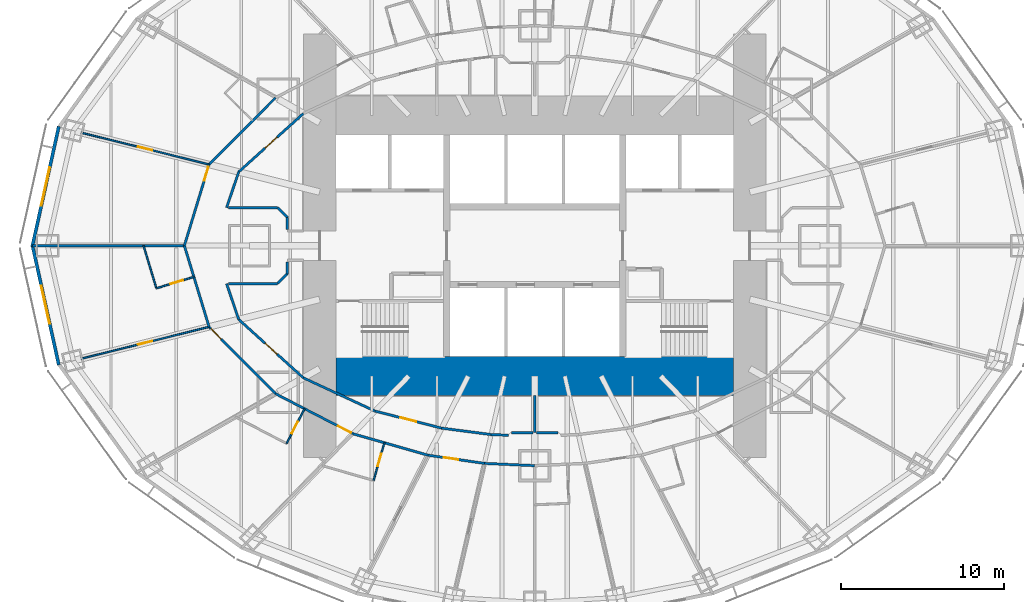
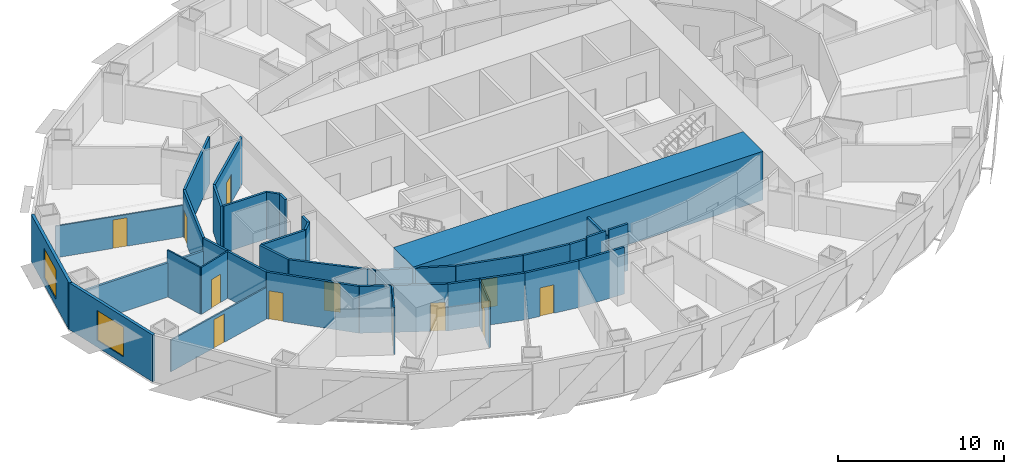
# One storey, part 5 of 15: 35 walls, 12 doors, 2 windows, 14 openings.
"""IFC4 building model written with IfcOpenShell, lengths in metres."""

from ifc_helpers import new_model, si_unit, direction, frame, frame_2d, origin, place, context, subcontext, project, spatial, rectangle, extrude, material, layer, layer_set, type_object, element, fill, save


model = new_model("IFC4")

# Units and contexts
model_context = context("Model", 3, precision=1e-05, world=origin(), true_north=direction((0.0, 1.0)))
body_context = subcontext(model_context, "Body", "Model", "MODEL_VIEW")
ifc_project = project(units=[si_unit("LENGTHUNIT", "METRE"), si_unit("AREAUNIT", "SQUARE_METRE"), si_unit("VOLUMEUNIT", "CUBIC_METRE"), si_unit("PLANEANGLEUNIT", "RADIAN"), si_unit("MASSUNIT", "GRAM", prefix="KILO")], contexts=[model_context])

# Site, building, storey
site_placement = place(None, origin())
site = spatial("IfcSite", under=ifc_project, at=site_placement, CompositionType="ELEMENT")
building_placement = place(site_placement, origin())
building = spatial("IfcBuilding", under=site, at=building_placement, Name="Lantaw Convention Tower", CompositionType="ELEMENT")
storey_placement = place(building_placement, frame((0.0, 0.0, 55.0)))
storey = spatial("IfcBuildingStorey", under=building, at=storey_placement, Name="L11", CompositionType="ELEMENT", Elevation=55.0)

# Wall
ifc_material_1 = material(Name="Gypsum board on steel studs", Category="steel")
ifc_layer_1 = layer(ifc_material_1, 0.14990234375)
ifc_layer_set_1 = layer_set([ifc_layer_1], Name="Back of house wall 150")
wall_type_1 = type_object("IfcWallType", Name="Back of house wall 150", PredefinedType="PARTITIONING", material=ifc_layer_set_1)
wall_1_placement = place(storey_placement, frame((0.0, -9.199951171875, 0.0), z_axis=(0.0, 0.0, 1.0), x_axis=(0.0, -1.0, 0.0)))
element("IfcWall", 1, at=wall_1_placement, inside=storey, type_object=wall_type_1, Name="Back of house wall 150", PredefinedType="PARTITIONING", context=body_context, shape_type="SweptSolid", body=[
    extrude(rectangle(XDim=2.26513671875, YDim=0.14990234375, at=frame_2d((1.132568359375, 0.0))), origin(), (0.0, 0.0, 1.0), 3.043701171875),
])

# Wall, opening, door
ifc_material_2 = material(Name="Moisture resistant gypsum board on steel studs", Category="steel")
ifc_layer_2 = layer(ifc_material_2, 0.10009765625)
ifc_layer_set_2 = layer_set([ifc_layer_2], Name="Bathroom wall 100")
wall_type_2 = type_object("IfcWallType", Name="Bathroom wall 100", PredefinedType="PARTITIONING", material=ifc_layer_set_2)
wall_2_placement = place(storey_placement, frame((-20.917236328125, -1.9130859375, 0.0), z_axis=(0.0, 0.0, 1.0), x_axis=(-0.956591303063, -0.291432803411, 0.0)))
wall_2 = element("IfcWall", 2, at=wall_2_placement, inside=storey, type_object=wall_type_2, Name="Bathroom wall 100", PredefinedType="PARTITIONING", context=body_context, shape_type="SweptSolid", body=[
    extrude(rectangle(XDim=2.400146484375, YDim=0.10009765625, at=frame_2d((1.2001953125, 0.0))), origin(), (0.0, 0.0, 1.0), 3.449951171875),
])
opening_1_placement = place(wall_2_placement, frame((0.699951171875, 0.0, 0.0)))
opening_1 = element("IfcOpeningElement", 3, at=opening_1_placement, cuts=wall_2, Name="Opening L11.46", PredefinedType="OPENING", context=body_context, shape_type="SweptSolid", body=[
    extrude(rectangle(XDim=0.800048828125, YDim=2.10009765625, at=frame_2d((0.39990234375, 1.050048828125))), frame((0.0, 0.06005859375, 0.0), z_axis=(0.0, -1.0, 0.0), x_axis=(1.0, 0.0, 0.0)), (0.0, 0.0, 1.0), 0.1201171875),
])
ifc_material_3 = material(Name="Timber", Category="wood")
door_type_1 = type_object("IfcDoorType", Name="Bathroom door 800", OperationType="SINGLE_SWING_LEFT", PredefinedType="DOOR", material=ifc_material_3)
door_1_placement = place(opening_1_placement, origin())
door_1 = element("IfcDoor", 4, at=door_1_placement, inside=storey, type_object=door_type_1, Name="Bathroom door", OperationType="SINGLE_SWING_LEFT", OverallHeight=2.10009765625, OverallWidth=0.800048828125, PredefinedType="DOOR", context=body_context, shape_type="SweptSolid", body=[
    extrude(rectangle(XDim=0.800048828125, YDim=2.10009765625, at=frame_2d((0.39990234375, 1.050048828125))), frame((0.0, 0.02490234375, 0.0), z_axis=(0.0, -1.0, 0.0), x_axis=(1.0, 0.0, 0.0)), (0.0, 0.0, 1.0), 0.050048828125),
])
fill(opening_1, door_1)

# Wall
wall_3_placement = place(storey_placement, frame((-23.213134765625, -2.612548828125, 0.0), z_axis=(0.0, 0.0, 1.0), x_axis=(-0.291339473488, 0.956619731757, 0.0)))
element("IfcWall", 5, at=wall_3_placement, inside=storey, type_object=wall_type_2, Name="Bathroom wall 100", PredefinedType="PARTITIONING", context=body_context, shape_type="SweptSolid", body=[
    extrude(rectangle(XDim=2.73095703125, YDim=0.10009765625, at=frame_2d((1.365478515625, 0.0))), origin(), (0.0, 0.0, 1.0), 3.449951171875),
])

# Wall, opening, door
wall_4_placement = place(storey_placement, frame((-14.12451171875, -10.0048828125, 0.0), z_axis=(0.0, 0.0, 1.0), x_axis=(-0.459218106657, -0.888323550582, 0.0)))
wall_4 = element("IfcWall", 6, at=wall_4_placement, inside=storey, type_object=wall_type_2, Name="Bathroom wall 100", PredefinedType="PARTITIONING", context=body_context, shape_type="SweptSolid", body=[
    extrude(rectangle(XDim=2.39990234375, YDim=0.10009765625, at=frame_2d((1.199951171875, 0.0))), origin(), (0.0, 0.0, 1.0), 3.449951171875),
])
opening_2_placement = place(wall_4_placement, frame((0.89990234375, 0.0, 0.0)))
opening_2 = element("IfcOpeningElement", 7, at=opening_2_placement, cuts=wall_4, Name="Opening L11.49", PredefinedType="OPENING", context=body_context, shape_type="SweptSolid", body=[
    extrude(rectangle(XDim=0.800048828125, YDim=2.10009765625, at=frame_2d((0.39990234375, 1.050048828125))), frame((0.0, 0.06005859375, 0.0), z_axis=(0.0, -1.0, 0.0), x_axis=(1.0, 0.0, 0.0)), (0.0, 0.0, 1.0), 0.1201171875),
])
door_2_placement = place(opening_2_placement, origin())
door_2 = element("IfcDoor", 8, at=door_2_placement, inside=storey, type_object=door_type_1, Name="Bathroom door", OperationType="SINGLE_SWING_LEFT", OverallHeight=2.10009765625, OverallWidth=0.800048828125, PredefinedType="DOOR", context=body_context, shape_type="SweptSolid", body=[
    extrude(rectangle(XDim=0.800048828125, YDim=2.10009765625, at=frame_2d((0.39990234375, 1.050048828125))), frame((0.0, 0.02490234375, 0.0), z_axis=(0.0, -1.0, 0.0), x_axis=(1.0, 0.0, 0.0)), (0.0, 0.0, 1.0), 0.050048828125),
])
fill(opening_2, door_2)

wall_5_placement = place(storey_placement, frame((-9.224609375, -12.093505859375, 0.0), z_axis=(0.0, 0.0, 1.0), x_axis=(-0.274949510627, -0.961458666093, 0.0)))
wall_5 = element("IfcWall", 9, at=wall_5_placement, inside=storey, type_object=wall_type_2, Name="Bathroom wall 100", PredefinedType="PARTITIONING", context=body_context, shape_type="SweptSolid", body=[
    extrude(rectangle(XDim=2.400146484375, YDim=0.10009765625, at=frame_2d((1.2001953125, 0.0))), origin(), (0.0, 0.0, 1.0), 3.449951171875),
])
opening_3_placement = place(wall_5_placement, frame((0.699951171875, 0.0, 0.0)))
opening_3 = element("IfcOpeningElement", 10, at=opening_3_placement, cuts=wall_5, Name="Opening L11.51", PredefinedType="OPENING", context=body_context, shape_type="SweptSolid", body=[
    extrude(rectangle(XDim=0.800048828125, YDim=2.10009765625, at=frame_2d((0.39990234375, 1.050048828125))), frame((0.0, 0.06005859375, 0.0), z_axis=(0.0, -1.0, 0.0), x_axis=(1.0, 0.0, 0.0)), (0.0, 0.0, 1.0), 0.1201171875),
])
door_3_placement = place(opening_3_placement, origin())
door_3 = element("IfcDoor", 11, at=door_3_placement, inside=storey, type_object=door_type_1, Name="Bathroom door", OperationType="SINGLE_SWING_LEFT", OverallHeight=2.10009765625, OverallWidth=0.800048828125, PredefinedType="DOOR", context=body_context, shape_type="SweptSolid", body=[
    extrude(rectangle(XDim=0.800048828125, YDim=2.10009765625, at=frame_2d((0.39990234375, 1.050048828125))), frame((0.0, 0.02490234375, 0.0), z_axis=(0.0, -1.0, 0.0), x_axis=(1.0, 0.0, 0.0)), (0.0, 0.0, 1.0), 0.050048828125),
])
fill(opening_3, door_3)

# Walls
ifc_material_4 = material(Name="Concrete C60/75", Category="concrete")
ifc_layer_3 = layer(ifc_material_4, 2.39990234375)
ifc_layer_set_3 = layer_set([ifc_layer_3], Name="Core wall 2400")
wall_type_3 = type_object("IfcWallType", Name="Core wall 2400", PredefinedType="SHEAR", material=ifc_layer_set_3)
wall_6_placement = place(storey_placement, frame((-12.199951171875, -8.0, 0.0), z_axis=(0.0, 0.0, 1.0), x_axis=(1.0, 0.0, 0.0)))
element("IfcWall", 12, at=wall_6_placement, inside=storey, type_object=wall_type_3, Name="Core wall S", PredefinedType="SHEAR", context=body_context, shape_type="SweptSolid", body=[
    extrude(rectangle(XDim=24.39990234375, YDim=2.39990234375, at=frame_2d((12.199951171875, 0.0))), origin(), (0.0, 0.0, 1.0), 3.60009765625),
])
ifc_material_5 = material(Name="Gypsum board on steel studs, fire rated", Category="steel")
ifc_layer_4 = layer(ifc_material_5, 0.14990234375)
ifc_layer_set_4 = layer_set([ifc_layer_4], Name="Corridor wall 150 EI 60")
wall_type_4 = type_object("IfcWallType", Name="Corridor wall 150 EI 60", PredefinedType="PARTITIONING", material=ifc_layer_set_4)
wall_7_placement = place(storey_placement, frame((-15.901123046875, 9.08642578125, 0.0), z_axis=(0.0, 0.0, 1.0), x_axis=(-0.705121546414, -0.709086457904, 0.0)))
element("IfcWall", 13, at=wall_7_placement, inside=storey, type_object=wall_type_4, Name="Corridor wall 150", PredefinedType="PARTITIONING", context=body_context, shape_type="SweptSolid", body=[
    extrude(rectangle(XDim=5.7880859375, YDim=0.14990234375, at=frame_2d((2.89404296875, 0.0))), origin(), (0.0, 0.0, 1.0), 3.449951171875),
])

# Wall, opening, door
wall_8_placement = place(storey_placement, frame((-19.982421875, 4.982177734375, 0.0), z_axis=(0.0, 0.0, 1.0), x_axis=(-0.291383581394, -0.95660629754, 0.0)))
wall_8 = element("IfcWall", 14, at=wall_8_placement, inside=storey, type_object=wall_type_4, Name="Corridor wall 150", PredefinedType="PARTITIONING", context=body_context, shape_type="SweptSolid", body=[
    extrude(rectangle(XDim=5.208251953125, YDim=0.14990234375, at=frame_2d((2.60400390625, 0.0))), origin(), (0.0, 0.0, 1.0), 3.449951171875),
])
opening_4_placement = place(wall_8_placement, frame((0.14990234375, 0.0, 0.0)))
opening_4 = element("IfcOpeningElement", 15, at=opening_4_placement, cuts=wall_8, Name="Opening L11.45", PredefinedType="OPENING", context=body_context, shape_type="SweptSolid", body=[
    extrude(rectangle(XDim=0.89990234375, YDim=2.10009765625, at=frame_2d((0.449951171875, 1.050048828125))), frame((0.0, 0.0849609375, 0.0), z_axis=(0.0, -1.0, 0.0), x_axis=(1.0, 0.0, 0.0)), (0.0, 0.0, 1.0), 0.169921875),
])
ifc_material_6 = material(Name="Steel, fire rated", Category="steel")
door_type_2 = type_object("IfcDoorType", Name="Guest room entrance door FD30S", OperationType="SINGLE_SWING_LEFT", PredefinedType="DOOR", material=ifc_material_6)
door_4_placement = place(opening_4_placement, origin())
door_4 = element("IfcDoor", 16, at=door_4_placement, inside=storey, type_object=door_type_2, Name="Suite entrance door", OperationType="SINGLE_SWING_LEFT", OverallHeight=2.10009765625, OverallWidth=0.89990234375, PredefinedType="DOOR", context=body_context, shape_type="SweptSolid", body=[
    extrude(rectangle(XDim=0.89990234375, YDim=2.10009765625, at=frame_2d((0.449951171875, 1.050048828125))), frame((0.0, 0.02490234375, 0.0), z_axis=(0.0, -1.0, 0.0), x_axis=(1.0, 0.0, 0.0)), (0.0, 0.0, 1.0), 0.050048828125),
])
fill(opening_4, door_4)

# Wall
wall_9_placement = place(storey_placement, frame((-21.5, 0.0, 0.0), z_axis=(0.0, 0.0, 1.0), x_axis=(0.291383581394, -0.95660629754, 0.0)))
element("IfcWall", 17, at=wall_9_placement, inside=storey, type_object=wall_type_4, Name="Corridor wall 150", PredefinedType="PARTITIONING", context=body_context, shape_type="SweptSolid", body=[
    extrude(rectangle(XDim=5.208251953125, YDim=0.14990234375, at=frame_2d((2.60400390625, 0.0))), origin(), (0.0, 0.0, 1.0), 3.449951171875),
])

# Wall, opening, door
wall_10_placement = place(storey_placement, frame((-19.982421875, -4.982177734375, 0.0), z_axis=(0.0, 0.0, 1.0), x_axis=(0.705121546414, -0.709086457904, 0.0)))
wall_10 = element("IfcWall", 18, at=wall_10_placement, inside=storey, type_object=wall_type_4, Name="Corridor wall 150", PredefinedType="PARTITIONING", context=body_context, shape_type="SweptSolid", body=[
    extrude(rectangle(XDim=5.7880859375, YDim=0.14990234375, at=frame_2d((2.89404296875, 0.0))), origin(), (0.0, 0.0, 1.0), 3.449951171875),
])
opening_5_placement = place(wall_10_placement, frame((0.14990234375, 0.0, 0.0)))
opening_5 = element("IfcOpeningElement", 19, at=opening_5_placement, cuts=wall_10, Name="Opening L11.48", PredefinedType="OPENING", context=body_context, shape_type="SweptSolid", body=[
    extrude(rectangle(XDim=0.89990234375, YDim=2.10009765625, at=frame_2d((0.449951171875, 1.050048828125))), frame((0.0, 0.0849609375, 0.0), z_axis=(0.0, -1.0, 0.0), x_axis=(1.0, 0.0, 0.0)), (0.0, 0.0, 1.0), 0.169921875),
])
door_5_placement = place(opening_5_placement, origin())
door_5 = element("IfcDoor", 20, at=door_5_placement, inside=storey, type_object=door_type_2, Name="Suite entrance door", OperationType="SINGLE_SWING_LEFT", OverallHeight=2.10009765625, OverallWidth=0.89990234375, PredefinedType="DOOR", context=body_context, shape_type="SweptSolid", body=[
    extrude(rectangle(XDim=0.89990234375, YDim=2.10009765625, at=frame_2d((0.449951171875, 1.050048828125))), frame((0.0, 0.02490234375, 0.0), z_axis=(0.0, -1.0, 0.0), x_axis=(1.0, 0.0, 0.0)), (0.0, 0.0, 1.0), 0.050048828125),
])
fill(opening_5, door_5)

wall_11_placement = place(storey_placement, frame((-15.901123046875, -9.08642578125, 0.0), z_axis=(0.0, 0.0, 1.0), x_axis=(0.888333171507, -0.459199495209, 0.0)))
wall_11 = element("IfcWall", 21, at=wall_11_placement, inside=storey, type_object=wall_type_4, Name="Corridor wall 150", PredefinedType="PARTITIONING", context=body_context, shape_type="SweptSolid", body=[
    extrude(rectangle(XDim=5.351318359375, YDim=0.14990234375, at=frame_2d((2.67578125, 0.0))), origin(), (0.0, 0.0, 1.0), 3.449951171875),
])
opening_6_placement = place(wall_11_placement, frame((4.301025390625, 0.0, 0.0)))
opening_6 = element("IfcOpeningElement", 22, at=opening_6_placement, cuts=wall_11, Name="Opening L11.50", PredefinedType="OPENING", context=body_context, shape_type="SweptSolid", body=[
    extrude(rectangle(XDim=0.89990234375, YDim=2.10009765625, at=frame_2d((0.449951171875, 1.050048828125))), frame((0.0, 0.0849609375, 0.0), z_axis=(0.0, -1.0, 0.0), x_axis=(1.0, 0.0, 0.0)), (0.0, 0.0, 1.0), 0.169921875),
])
door_6_placement = place(opening_6_placement, origin())
door_6 = element("IfcDoor", 23, at=door_6_placement, inside=storey, type_object=door_type_2, Name="Guest room entrance door", OperationType="SINGLE_SWING_LEFT", OverallHeight=2.10009765625, OverallWidth=0.89990234375, PredefinedType="DOOR", context=body_context, shape_type="SweptSolid", body=[
    extrude(rectangle(XDim=0.89990234375, YDim=2.10009765625, at=frame_2d((0.449951171875, 1.050048828125))), frame((0.0, 0.02490234375, 0.0), z_axis=(0.0, -1.0, 0.0), x_axis=(1.0, 0.0, 0.0)), (0.0, 0.0, 1.0), 0.050048828125),
])
fill(opening_6, door_6)

# Wall
wall_12_placement = place(storey_placement, frame((-11.1474609375, -11.543701171875, 0.0), z_axis=(0.0, 0.0, 1.0), x_axis=(0.961464178199, -0.27493023486, 0.0)))
element("IfcWall", 24, at=wall_12_placement, inside=storey, type_object=wall_type_4, Name="Corridor wall 150", PredefinedType="PARTITIONING", context=body_context, shape_type="SweptSolid", body=[
    extrude(rectangle(XDim=4.7802734375, YDim=0.14990234375, at=frame_2d((2.39013671875, 0.0))), origin(), (0.0, 0.0, 1.0), 3.449951171875),
])

# Wall, opening, door
wall_13_placement = place(storey_placement, frame((-6.551513671875, -12.85791015625, 0.0), z_axis=(0.0, 0.0, 1.0), x_axis=(0.989661745886, -0.143421158583, 0.0)))
wall_13 = element("IfcWall", 25, at=wall_13_placement, inside=storey, type_object=wall_type_4, Name="Corridor wall 150", PredefinedType="PARTITIONING", context=body_context, shape_type="SweptSolid", body=[
    extrude(rectangle(XDim=3.503173828125, YDim=0.14990234375, at=frame_2d((1.75146484375, 0.0))), origin(), (0.0, 0.0, 1.0), 3.449951171875),
])
opening_7_placement = place(wall_13_placement, frame((0.987548828125, 0.0, 0.0)))
opening_7 = element("IfcOpeningElement", 26, at=opening_7_placement, cuts=wall_13, Name="Opening L11.54", PredefinedType="OPENING", context=body_context, shape_type="SweptSolid", body=[
    extrude(rectangle(XDim=0.89990234375, YDim=2.10009765625, at=frame_2d((0.449951171875, 1.050048828125))), frame((0.0, 0.0849609375, 0.0), z_axis=(0.0, -1.0, 0.0), x_axis=(1.0, 0.0, 0.0)), (0.0, 0.0, 1.0), 0.169921875),
])
door_7_placement = place(opening_7_placement, origin())
door_7 = element("IfcDoor", 27, at=door_7_placement, inside=storey, type_object=door_type_2, Name="Suite entrance door", OperationType="SINGLE_SWING_LEFT", OverallHeight=2.10009765625, OverallWidth=0.89990234375, PredefinedType="DOOR", context=body_context, shape_type="SweptSolid", body=[
    extrude(rectangle(XDim=0.89990234375, YDim=2.10009765625, at=frame_2d((0.449951171875, 1.050048828125))), frame((0.0, 0.02490234375, 0.0), z_axis=(0.0, -1.0, 0.0), x_axis=(1.0, 0.0, 0.0)), (0.0, 0.0, 1.0), 0.050048828125),
])
fill(opening_7, door_7)

# Wall
wall_14_placement = place(storey_placement, frame((-3.08447265625, -13.3603515625, 0.0), z_axis=(0.0, 0.0, 1.0), x_axis=(0.998976675711, -0.045228325036, 0.0)))
element("IfcWall", 28, at=wall_14_placement, inside=storey, type_object=wall_type_4, Name="Corridor wall 150", PredefinedType="PARTITIONING", context=body_context, shape_type="SweptSolid", body=[
    extrude(rectangle(XDim=3.087646484375, YDim=0.14990234375, at=frame_2d((1.5439453125, 0.0))), origin(), (0.0, 0.0, 1.0), 3.449951171875),
])

# Wall, opening, door
wall_15_placement = place(storey_placement, frame((-14.196044921875, 8.112060546875, 0.0), z_axis=(0.0, 0.0, 1.0), x_axis=(-0.742194222, -0.670184852731, 0.0)))
wall_15 = element("IfcWall", 29, at=wall_15_placement, inside=storey, type_object=wall_type_4, Name="Corridor wall 150", PredefinedType="PARTITIONING", context=body_context, shape_type="SweptSolid", body=[
    extrude(rectangle(XDim=5.3466796875, YDim=0.14990234375, at=frame_2d((2.67333984375, 0.0))), origin(), (0.0, 0.0, 1.0), 3.449951171875),
])
opening_8_placement = place(wall_15_placement, frame((2.17333984375, 0.0, 0.0)))
opening_8 = element("IfcOpeningElement", 30, at=opening_8_placement, cuts=wall_15, Name="Opening L11.18", PredefinedType="OPENING", context=body_context, shape_type="SweptSolid", body=[
    extrude(rectangle(XDim=1.0, YDim=2.10009765625, at=frame_2d((0.5, 1.050048828125))), frame((0.0, 0.0849609375, 0.0), z_axis=(0.0, -1.0, 0.0), x_axis=(1.0, 0.0, 0.0)), (0.0, 0.0, 1.0), 0.169921875),
])
door_type_3 = type_object("IfcDoorType", Name="Service door 1000 FD30", OperationType="SINGLE_SWING_LEFT", PredefinedType="DOOR", material=ifc_material_6)
door_8_placement = place(opening_8_placement, origin())
door_8 = element("IfcDoor", 31, at=door_8_placement, inside=storey, type_object=door_type_3, Name="Housekeeping room door", OperationType="SINGLE_SWING_LEFT", OverallHeight=2.10009765625, OverallWidth=1.0, PredefinedType="DOOR", context=body_context, shape_type="SweptSolid", body=[
    extrude(rectangle(XDim=1.0, YDim=2.10009765625, at=frame_2d((0.5, 1.050048828125))), frame((0.0, 0.02490234375, 0.0), z_axis=(0.0, -1.0, 0.0), x_axis=(1.0, 0.0, 0.0)), (0.0, 0.0, 1.0), 0.050048828125),
])
fill(opening_8, door_8)

wall_16_placement = place(storey_placement, frame((-18.164306640625, -4.52880859375, 0.0), z_axis=(0.0, 0.0, 1.0), x_axis=(0.742194222, -0.670184852731, 0.0)))
wall_16 = element("IfcWall", 32, at=wall_16_placement, inside=storey, type_object=wall_type_4, Name="Corridor wall 150", PredefinedType="PARTITIONING", context=body_context, shape_type="SweptSolid", body=[
    extrude(rectangle(XDim=5.3466796875, YDim=0.14990234375, at=frame_2d((2.67333984375, 0.0))), origin(), (0.0, 0.0, 1.0), 3.449951171875),
])
opening_9_placement = place(wall_16_placement, frame((2.17333984375, 0.0, 0.0)))
opening_9 = element("IfcOpeningElement", 33, at=opening_9_placement, cuts=wall_16, Name="Opening L11.23", PredefinedType="OPENING", context=body_context, shape_type="SweptSolid", body=[
    extrude(rectangle(XDim=1.0, YDim=2.10009765625, at=frame_2d((0.5, 1.050048828125))), frame((0.0, 0.0849609375, 0.0), z_axis=(0.0, -1.0, 0.0), x_axis=(1.0, 0.0, 0.0)), (0.0, 0.0, 1.0), 0.169921875),
])
door_9_placement = place(opening_9_placement, origin())
door_9 = element("IfcDoor", 34, at=door_9_placement, inside=storey, type_object=door_type_3, Name="Staff room door", OperationType="SINGLE_SWING_LEFT", OverallHeight=2.10009765625, OverallWidth=1.0, PredefinedType="DOOR", context=body_context, shape_type="SweptSolid", body=[
    extrude(rectangle(XDim=1.0, YDim=2.10009765625, at=frame_2d((0.5, 1.050048828125))), frame((0.0, 0.02490234375, 0.0), z_axis=(0.0, -1.0, 0.0), x_axis=(1.0, 0.0, 0.0)), (0.0, 0.0, 1.0), 0.050048828125),
])
fill(opening_9, door_9)

# Wall
wall_17_placement = place(storey_placement, frame((-14.196044921875, -8.112060546875, 0.0), z_axis=(0.0, 0.0, 1.0), x_axis=(0.907279653965, -0.420527798727, 0.0)))
element("IfcWall", 35, at=wall_17_placement, inside=storey, type_object=wall_type_4, Name="Corridor wall 150", PredefinedType="PARTITIONING", context=body_context, shape_type="SweptSolid", body=[
    extrude(rectangle(XDim=4.84423828125, YDim=0.14990234375, at=frame_2d((2.422119140625, 0.0))), origin(), (0.0, 0.0, 1.0), 3.449951171875),
])

# Wall, opening, door
wall_18_placement = place(storey_placement, frame((-9.801025390625, -10.149169921875, 0.0), z_axis=(0.0, 0.0, 1.0), x_axis=(0.968705891355, -0.248211393886, 0.0)))
wall_18 = element("IfcWall", 36, at=wall_18_placement, inside=storey, type_object=wall_type_4, Name="Corridor wall 150", PredefinedType="PARTITIONING", context=body_context, shape_type="SweptSolid", body=[
    extrude(rectangle(XDim=4.2275390625, YDim=0.14990234375, at=frame_2d((2.11376953125, 0.0))), origin(), (0.0, 0.0, 1.0), 3.449951171875),
])
opening_10_placement = place(wall_18_placement, frame((1.61376953125, 0.0, 0.0)))
opening_10 = element("IfcOpeningElement", 37, at=opening_10_placement, cuts=wall_18, Name="Opening L11.24", PredefinedType="OPENING", context=body_context, shape_type="SweptSolid", body=[
    extrude(rectangle(XDim=1.0, YDim=2.10009765625, at=frame_2d((0.5, 1.050048828125))), frame((0.0, 0.0849609375, 0.0), z_axis=(0.0, -1.0, 0.0), x_axis=(1.0, 0.0, 0.0)), (0.0, 0.0, 1.0), 0.169921875),
])
door_10_placement = place(opening_10_placement, origin())
door_10 = element("IfcDoor", 38, at=door_10_placement, inside=storey, type_object=door_type_3, Name="Staff room door", OperationType="SINGLE_SWING_LEFT", OverallHeight=2.10009765625, OverallWidth=1.0, PredefinedType="DOOR", context=body_context, shape_type="SweptSolid", body=[
    extrude(rectangle(XDim=1.0, YDim=2.10009765625, at=frame_2d((0.5, 1.050048828125))), frame((0.0, 0.02490234375, 0.0), z_axis=(0.0, -1.0, 0.0), x_axis=(1.0, 0.0, 0.0)), (0.0, 0.0, 1.0), 0.050048828125),
])
fill(opening_10, door_10)

# Walls
wall_19_placement = place(storey_placement, frame((-5.705810546875, -11.198486328125, 0.0), z_axis=(0.0, 0.0, 1.0), x_axis=(0.99168929531, -0.128655903743, 0.0)))
element("IfcWall", 39, at=wall_19_placement, inside=storey, type_object=wall_type_4, Name="Corridor wall 150", PredefinedType="PARTITIONING", context=body_context, shape_type="SweptSolid", body=[
    extrude(rectangle(XDim=3.05517578125, YDim=0.14990234375, at=frame_2d((1.527587890625, 0.0))), origin(), (0.0, 0.0, 1.0), 3.449951171875),
])
for number, where, z_axis, x_axis, name in (
    (40, (-18.164306640625, 4.52880859375, 0.0), (0.0, 0.0, 1.0), (-0.321124194945, -0.947037090837, 0.0), "Corridor wall 150"),
    (41, (-18.908203125, -2.3349609375, 0.0), (0.0, 0.0, 1.0), (0.321124194945, -0.947037090837, 0.0), "Corridor wall 150"),
):
    element("IfcWall", number, at=place(storey_placement, frame(where, z_axis=z_axis, x_axis=x_axis)), inside=storey, type_object=wall_type_4, Name=name, PredefinedType="PARTITIONING", context=body_context, shape_type="SweptSolid", body=[
        extrude(rectangle(XDim=2.316650390625, YDim=0.14990234375, at=frame_2d((1.158203125, 0.0))), origin(), (0.0, 0.0, 1.0), 3.449951171875),
    ])
wall_20_placement = place(storey_placement, frame((-18.80078125, 2.324951171875, 0.0), z_axis=(0.0, 0.0, 1.0), x_axis=(1.0, 0.0, 0.0)))
element("IfcWall", 42, at=wall_20_placement, inside=storey, type_object=wall_type_4, Name="Corridor wall 150", PredefinedType="PARTITIONING", context=body_context, shape_type="SweptSolid", body=[
    extrude(rectangle(XDim=3.025390625, YDim=0.14990234375, at=frame_2d((1.5126953125, 0.0))), origin(), (0.0, 0.0, 1.0), 3.449951171875),
])
wall_21_placement = place(storey_placement, frame((-15.775390625, 2.324951171875, 0.0), z_axis=(0.0, 0.0, 1.0), x_axis=(0.707106781187, -0.707106781187, 0.0)))
element("IfcWall", 43, at=wall_21_placement, inside=storey, type_object=wall_type_4, Name="Corridor wall 150", PredefinedType="PARTITIONING", context=body_context, shape_type="SweptSolid", body=[
    extrude(rectangle(XDim=0.84912109375, YDim=0.14990234375, at=frame_2d((0.424560546875, 0.0))), origin(), (0.0, 0.0, 1.0), 3.449951171875),
])
for number, where, z_axis, x_axis, name in (
    (44, (-15.175048828125, 1.724609375, 0.0), (0.0, 0.0, 1.0), (0.0, -1.0, 0.0), "Corridor wall 150"),
    (45, (-15.175048828125, -1.003173828125, 0.0), (0.0, 0.0, 1.0), (0.0, -1.0, 0.0), "Corridor wall 150"),
):
    element("IfcWall", number, at=place(storey_placement, frame(where, z_axis=z_axis, x_axis=x_axis)), inside=storey, type_object=wall_type_4, Name=name, PredefinedType="PARTITIONING", context=body_context, shape_type="SweptSolid", body=[
        extrude(rectangle(XDim=0.721435546875, YDim=0.14990234375, at=frame_2d((0.36083984375, 0.0))), origin(), (0.0, 0.0, 1.0), 3.449951171875),
    ])
wall_22_placement = place(storey_placement, frame((-15.175048828125, -1.724609375, 0.0), z_axis=(0.0, 0.0, 1.0), x_axis=(-0.707106781187, -0.707106781187, 0.0)))
element("IfcWall", 46, at=wall_22_placement, inside=storey, type_object=wall_type_4, Name="Corridor wall 150", PredefinedType="PARTITIONING", context=body_context, shape_type="SweptSolid", body=[
    extrude(rectangle(XDim=0.84912109375, YDim=0.14990234375, at=frame_2d((0.424560546875, 0.0))), origin(), (0.0, 0.0, 1.0), 3.449951171875),
])
wall_23_placement = place(storey_placement, frame((-15.775390625, -2.324951171875, 0.0), z_axis=(0.0, 0.0, 1.0), x_axis=(-1.0, 0.0, 0.0)))
element("IfcWall", 47, at=wall_23_placement, inside=storey, type_object=wall_type_4, Name="Corridor wall 150", PredefinedType="PARTITIONING", context=body_context, shape_type="SweptSolid", body=[
    extrude(rectangle(XDim=3.025390625, YDim=0.14990234375, at=frame_2d((1.5126953125, 0.0))), origin(), (0.0, 0.0, 1.0), 3.449951171875),
])
wall_24_placement = place(storey_placement, frame((-2.676025390625, -11.591552734375, 0.0), z_axis=(0.0, 0.0, 1.0), x_axis=(0.999178004727, -0.040537820228, 0.0)))
element("IfcWall", 48, at=wall_24_placement, inside=storey, type_object=wall_type_4, Name="Corridor wall 150", PredefinedType="PARTITIONING", context=body_context, shape_type="SweptSolid", body=[
    extrude(rectangle(XDim=1.078125, YDim=0.14990234375, at=frame_2d((0.5390625, 0.0))), origin(), (0.0, 0.0, 1.0), 3.449951171875),
])
for number, where, z_axis, x_axis, name in (
    (49, (-1.424560546875, -11.47509765625, 0.0), (0.0, 0.0, 1.0), (1.0, 0.0, 0.0), "Corridor wall 150"),
    (50, (0.103271484375, -11.47509765625, 0.0), (0.0, 0.0, 1.0), (1.0, 0.0, 0.0), "Corridor wall 150"),
):
    element("IfcWall", number, at=place(storey_placement, frame(where, z_axis=z_axis, x_axis=x_axis)), inside=storey, type_object=wall_type_4, Name=name, PredefinedType="PARTITIONING", context=body_context, shape_type="SweptSolid", body=[
        extrude(rectangle(XDim=1.3212890625, YDim=0.14990234375, at=frame_2d((0.66064453125, 0.0))), origin(), (0.0, 0.0, 1.0), 3.449951171875),
    ])

# Wall, opening, window
ifc_material_7 = material(Name="Insulated aluminium panel on steel frame", Category="steel")
ifc_layer_5 = layer(ifc_material_7, 0.199951171875)
ifc_layer_set_5 = layer_set([ifc_layer_5], Name="External wall 200")
wall_type_5 = type_object("IfcWallType", Name="External wall 200", PredefinedType="SOLIDWALL", material=ifc_layer_set_5)
wall_25_placement = place(storey_placement, frame((-29.207763671875, 7.318115234375, 0.0), z_axis=(0.0, 0.0, 1.0), x_axis=(-0.215238065514, -0.976561608478, 0.0)))
wall_25 = element("IfcWall", 51, at=wall_25_placement, inside=storey, type_object=wall_type_5, Name="Facade panel wall", PredefinedType="SOLIDWALL", context=body_context, shape_type="SweptSolid", body=[
    extrude(rectangle(XDim=7.562255859375, YDim=0.199951171875, at=frame_2d((3.78125, 0.0))), origin(), (0.0, 0.0, 1.0), 3.449951171875),
])
opening_11_placement = place(wall_25_placement, frame((2.581298828125, 0.0, 0.5)))
opening_11 = element("IfcOpeningElement", 52, at=opening_11_placement, cuts=wall_25, Name="Opening W1", PredefinedType="OPENING", context=body_context, shape_type="SweptSolid", body=[
    extrude(rectangle(XDim=2.39990234375, YDim=2.199951171875, at=frame_2d((1.199951171875, 1.10009765625))), frame((0.0, 0.10986328125, 0.0), z_axis=(0.0, -1.0, 0.0), x_axis=(1.0, 0.0, 0.0)), (0.0, 0.0, 1.0), 0.219970703125),
])
ifc_material_8 = material(Name="Aluminium frame, clear insulating glass", Category="aluminium")
window_type = type_object("IfcWindowType", Name="Guest room window 2400x2200", PartitioningType="SINGLE_PANEL", PredefinedType="WINDOW", material=ifc_material_8)
window_1_placement = place(opening_11_placement, origin())
window_1 = element("IfcWindow", 53, at=window_1_placement, inside=storey, type_object=window_type, Name="Guest room window", OverallHeight=2.199951171875, OverallWidth=2.39990234375, PartitioningType="SINGLE_PANEL", PredefinedType="WINDOW", context=body_context, shape_type="SweptSolid", body=[
    extrude(rectangle(XDim=2.39990234375, YDim=2.199951171875, at=frame_2d((1.199951171875, 1.10009765625))), frame((0.0, 0.030029296875, 0.0), z_axis=(0.0, -1.0, 0.0), x_axis=(1.0, 0.0, 0.0)), (0.0, 0.0, 1.0), 0.06005859375),
])
fill(opening_11, window_1)

wall_26_placement = place(storey_placement, frame((-30.83544921875, 0.06689453125, 0.0), z_axis=(0.0, 0.0, 1.0), x_axis=(0.215238065514, -0.976561608478, 0.0)))
wall_26 = element("IfcWall", 54, at=wall_26_placement, inside=storey, type_object=wall_type_5, Name="Facade panel wall", PredefinedType="SOLIDWALL", context=body_context, shape_type="SweptSolid", body=[
    extrude(rectangle(XDim=7.562255859375, YDim=0.199951171875, at=frame_2d((3.78125, 0.0))), origin(), (0.0, 0.0, 1.0), 3.449951171875),
])
opening_12_placement = place(wall_26_placement, frame((2.581298828125, 0.0, 0.5)))
opening_12 = element("IfcOpeningElement", 55, at=opening_12_placement, cuts=wall_26, Name="Opening W1", PredefinedType="OPENING", context=body_context, shape_type="SweptSolid", body=[
    extrude(rectangle(XDim=2.39990234375, YDim=2.199951171875, at=frame_2d((1.199951171875, 1.10009765625))), frame((0.0, 0.10986328125, 0.0), z_axis=(0.0, -1.0, 0.0), x_axis=(1.0, 0.0, 0.0)), (0.0, 0.0, 1.0), 0.219970703125),
])
window_2_placement = place(opening_12_placement, origin())
window_2 = element("IfcWindow", 56, at=window_2_placement, inside=storey, type_object=window_type, Name="Guest room window", OverallHeight=2.199951171875, OverallWidth=2.39990234375, PartitioningType="SINGLE_PANEL", PredefinedType="WINDOW", context=body_context, shape_type="SweptSolid", body=[
    extrude(rectangle(XDim=2.39990234375, YDim=2.199951171875, at=frame_2d((1.199951171875, 1.10009765625))), frame((0.0, 0.030029296875, 0.0), z_axis=(0.0, -1.0, 0.0), x_axis=(1.0, 0.0, 0.0)), (0.0, 0.0, 1.0), 0.06005859375),
])
fill(opening_12, window_2)

# Wall
ifc_material_9 = material(Name="Gypsum board on steel studs, acoustic", Category="steel")
ifc_layer_6 = layer(ifc_material_9, 0.14990234375)
ifc_layer_set_6 = layer_set([ifc_layer_6], Name="Guest room party wall 150")
wall_type_6 = type_object("IfcWallType", Name="Guest room party wall 150", PredefinedType="PARTITIONING", material=ifc_layer_set_6)
wall_27_placement = place(storey_placement, frame((-30.82080078125, 0.0, 0.0), z_axis=(0.0, 0.0, 1.0), x_axis=(1.0, 0.0, 0.0)))
element("IfcWall", 57, at=wall_27_placement, inside=storey, type_object=wall_type_6, Name="Guest room party wall 150", PredefinedType="PARTITIONING", context=body_context, shape_type="SweptSolid", body=[
    extrude(rectangle(XDim=9.32080078125, YDim=0.14990234375, at=frame_2d((4.660400390625, 0.0))), origin(), (0.0, 0.0, 1.0), 2.528076171875),
])

# Wall, opening, door
ifc_layer_7 = layer(ifc_material_1, 0.10009765625)
ifc_layer_set_7 = layer_set([ifc_layer_7], Name="Suite partition 100")
wall_type_7 = type_object("IfcWallType", Name="Suite partition 100", PredefinedType="PARTITIONING", material=ifc_layer_set_7)
wall_28_placement = place(storey_placement, frame((-27.832763671875, 6.939453125, 0.0), z_axis=(0.0, 0.0, 1.0), x_axis=(0.97029673161, -0.24191786339, 0.0)))
wall_28 = element("IfcWall", 58, at=wall_28_placement, inside=storey, type_object=wall_type_7, Name="Suite partition 100", PredefinedType="PARTITIONING", context=body_context, shape_type="SweptSolid", body=[
    extrude(rectangle(XDim=8.090576171875, YDim=0.10009765625, at=frame_2d((4.04541015625, 0.0))), origin(), (0.0, 0.0, 1.0), 2.33251953125),
])
opening_13_placement = place(wall_28_placement, frame((3.59521484375, 0.0, 0.0)))
opening_13 = element("IfcOpeningElement", 59, at=opening_13_placement, cuts=wall_28, Name="Opening L11.44", PredefinedType="OPENING", context=body_context, shape_type="SweptSolid", body=[
    extrude(rectangle(XDim=0.89990234375, YDim=2.10009765625, at=frame_2d((0.449951171875, 1.050048828125))), frame((0.0, 0.06005859375, 0.0), z_axis=(0.0, -1.0, 0.0), x_axis=(1.0, 0.0, 0.0)), (0.0, 0.0, 1.0), 0.1201171875),
])
door_type_4 = type_object("IfcDoorType", Name="Suite door 900", OperationType="SINGLE_SWING_LEFT", PredefinedType="DOOR", material=ifc_material_3)
door_11_placement = place(opening_13_placement, origin())
door_11 = element("IfcDoor", 60, at=door_11_placement, inside=storey, type_object=door_type_4, Name="Bedroom door", OperationType="SINGLE_SWING_LEFT", OverallHeight=2.10009765625, OverallWidth=0.89990234375, PredefinedType="DOOR", context=body_context, shape_type="SweptSolid", body=[
    extrude(rectangle(XDim=0.89990234375, YDim=2.10009765625, at=frame_2d((0.449951171875, 1.050048828125))), frame((0.0, 0.02490234375, 0.0), z_axis=(0.0, -1.0, 0.0), x_axis=(1.0, 0.0, 0.0)), (0.0, 0.0, 1.0), 0.050048828125),
])
fill(opening_13, door_11)

wall_29_placement = place(storey_placement, frame((-27.832763671875, -6.939453125, 0.0), z_axis=(0.0, 0.0, 1.0), x_axis=(0.97029673161, 0.24191786339, 0.0)))
wall_29 = element("IfcWall", 61, at=wall_29_placement, inside=storey, type_object=wall_type_7, Name="Suite partition 100", PredefinedType="PARTITIONING", context=body_context, shape_type="SweptSolid", body=[
    extrude(rectangle(XDim=8.090576171875, YDim=0.10009765625, at=frame_2d((4.04541015625, 0.0))), origin(), (0.0, 0.0, 1.0), 2.33251953125),
])
opening_14_placement = place(wall_29_placement, frame((3.59521484375, 0.0, 0.0)))
opening_14 = element("IfcOpeningElement", 62, at=opening_14_placement, cuts=wall_29, Name="Opening L11.47", PredefinedType="OPENING", context=body_context, shape_type="SweptSolid", body=[
    extrude(rectangle(XDim=0.89990234375, YDim=2.10009765625, at=frame_2d((0.449951171875, 1.050048828125))), frame((0.0, 0.06005859375, 0.0), z_axis=(0.0, -1.0, 0.0), x_axis=(1.0, 0.0, 0.0)), (0.0, 0.0, 1.0), 0.1201171875),
])
door_12_placement = place(opening_14_placement, origin())
door_12 = element("IfcDoor", 63, at=door_12_placement, inside=storey, type_object=door_type_4, Name="Bedroom door", OperationType="SINGLE_SWING_LEFT", OverallHeight=2.10009765625, OverallWidth=0.89990234375, PredefinedType="DOOR", context=body_context, shape_type="SweptSolid", body=[
    extrude(rectangle(XDim=0.89990234375, YDim=2.10009765625, at=frame_2d((0.449951171875, 1.050048828125))), frame((0.0, 0.02490234375, 0.0), z_axis=(0.0, -1.0, 0.0), x_axis=(1.0, 0.0, 0.0)), (0.0, 0.0, 1.0), 0.050048828125),
])
fill(opening_14, door_12)

save(model, "model.ifc")
